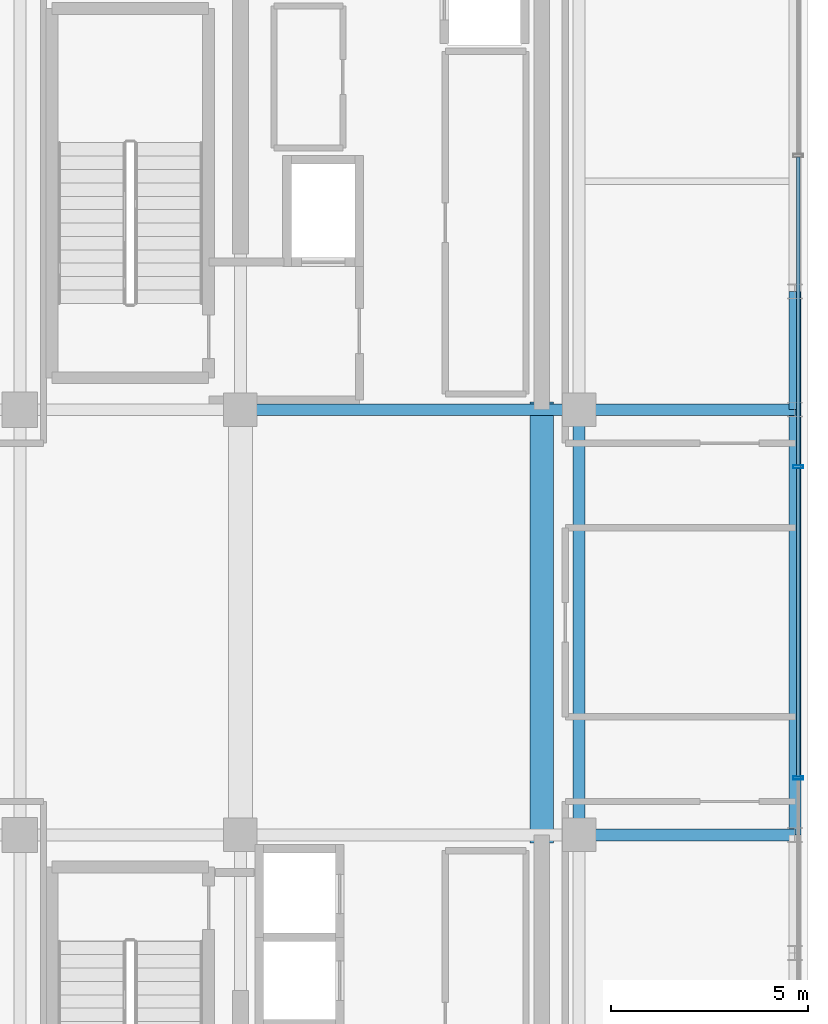
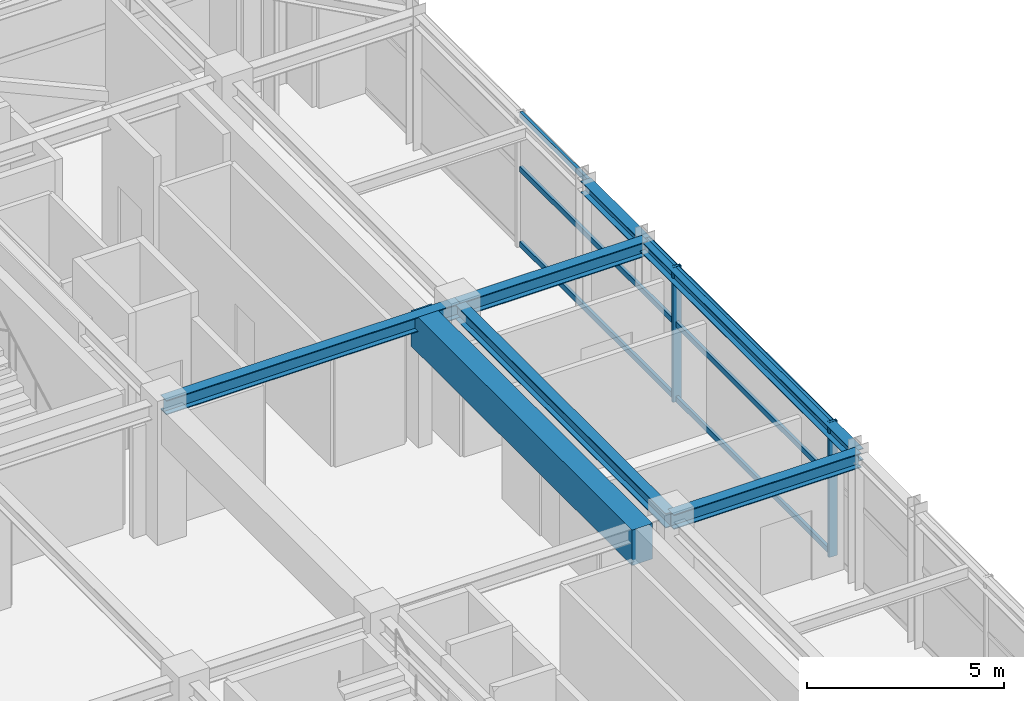
# One storey, part 11 of 26: 8 members, 7 beams, 1 element without a shape of its own.
"""IFC4 building model written with IfcOpenShell, lengths in metres."""

from ifc_helpers import new_model, si_unit, direction, frame, origin, origin_2d, place, context, subcontext, project, spatial, rectangle, hollow_rectangle, i_section, extrude, source, transform, mapped, material, material_profile, profile_set, type_object, element, aggregate, save


model = new_model("IFC4")

# Units and contexts
model_context = context("Model", 3, precision=1e-05, world=origin(), true_north=direction((0.0, 1.0)))
body_context = subcontext(model_context, "Body", "Model", "MODEL_VIEW")
ifc_project = project(units=[si_unit("LENGTHUNIT", "METRE"), si_unit("AREAUNIT", "SQUARE_METRE"), si_unit("VOLUMEUNIT", "CUBIC_METRE"), si_unit("PLANEANGLEUNIT", "RADIAN"), si_unit("MASSUNIT", "GRAM", prefix="KILO")], contexts=[model_context])

# Site, building, storey
site_placement = place(None, origin())
site = spatial("IfcSite", under=ifc_project, at=site_placement, CompositionType="ELEMENT")
building_placement = place(site_placement, origin())
building = spatial("IfcBuilding", under=site, at=building_placement, Name="Nahalor Promenade Grand Hotel", CompositionType="ELEMENT")
storey_placement = place(building_placement, frame((0.0, 0.0, 343.050048828125)))
storey = spatial("IfcBuildingStorey", under=building, at=storey_placement, Name="L88", CompositionType="ELEMENT", Elevation=343.050048828125)

# Beams
ifc_material_1 = material(Name="Concrete B-60 (C50/60)", Category="concrete")
ifc_material_profile_1 = material_profile(ifc_material_1, rectangle(XDim=0.6, YDim=1.1, at=origin_2d()), Name="RC 600x1100")
ifc_profile_set_1 = profile_set([ifc_material_profile_1], Name="Concrete B-60 (C50/60)")
beam_type_1 = type_object("IfcBeamType", Name="Beam-Lintel-RC1100", PredefinedType="LINTEL", material=ifc_profile_set_1)
shared_shape_1 = source(origin(), body_context, "Body", "SweptSolid", [
    extrude(rectangle(XDim=0.6, YDim=1.1, at=origin_2d()), origin(), (0.0, 0.0, 1.0), 11.2001953125),
])
beam_1_placement = place(storey_placement, frame((16.050048828125, -5.60009765625, 3.619873046875), z_axis=(0.0, 1.0, 0.0), x_axis=(-1.0, 0.0, 0.0)))
element("IfcBeam", 1, at=beam_1_placement, inside=storey, type_object=beam_type_1, Name="BM-L88-LINT-E", PredefinedType="LINTEL", context=body_context, shape_type="MappedRepresentation", body=[
    mapped(shared_shape_1, transform((0.0, 0.0, 0.0), scale=1.0)),
])
ifc_material_2 = material(Name="Steel S355JR", Category="steel")
ifc_material_profile_2 = material_profile(ifc_material_2, i_section(OverallWidth=0.3, OverallDepth=0.45, WebThickness=0.014, FlangeThickness=0.026, at=origin_2d()), Name="HEB 450")
ifc_profile_set_2 = profile_set([ifc_material_profile_2], Name="Steel S355JR")
beam_type_2 = type_object("IfcBeamType", Name="Beam-Girder-HEB450", PredefinedType="BEAM", material=ifc_profile_set_2)
shared_shape_2 = source(origin(), body_context, "Body", "SweptSolid", [
    extrude(i_section(OverallWidth=0.3, OverallDepth=0.45, WebThickness=0.014, FlangeThickness=0.026, at=origin_2d()), origin(), (0.0, 0.0, 1.0), 8.60009765625),
])
beam_2_placement = place(storey_placement, frame((8.39990234375, 5.39990234375, 3.945068359375), z_axis=(1.0, 0.0, 0.0), x_axis=(0.0, 1.0, 0.0)))
element("IfcBeam", 2, at=beam_2_placement, inside=storey, type_object=beam_type_2, Name="BM-L88-GX-2-5", PredefinedType="BEAM", context=body_context, shape_type="MappedRepresentation", body=[
    mapped(shared_shape_2, transform((0.0, 0.0, 0.0), scale=1.0)),
])
shared_shape_3 = source(origin(), body_context, "Body", "SweptSolid", [
    extrude(i_section(OverallWidth=0.3, OverallDepth=0.45, WebThickness=0.014, FlangeThickness=0.026, at=origin_2d()), origin(), (0.0, 0.0, 1.0), 10.7998046875),
])
beam_3_placement = place(storey_placement, frame((17.0, -5.39990234375, 3.945068359375), z_axis=(0.0, 1.0, 0.0), x_axis=(-1.0, 0.0, 0.0)))
element("IfcBeam", 3, at=beam_3_placement, inside=storey, type_object=beam_type_2, Name="BM-L88-GY-5-2", PredefinedType="BEAM", context=body_context, shape_type="MappedRepresentation", body=[
    mapped(shared_shape_3, transform((0.0, 0.0, 0.0), scale=1.0)),
])
shared_shape_4 = source(origin(), body_context, "Body", "SweptSolid", [
    extrude(i_section(OverallWidth=0.3, OverallDepth=0.45, WebThickness=0.014, FlangeThickness=0.026, at=origin_2d()), origin(), (0.0, 0.0, 1.0), 5.47998046875),
])
for number, where, z_axis, x_axis, name in (
    (4, (17.0, -5.39990234375, 3.945068359375), (1.0, 0.0, 0.0), (0.0, 1.0, 0.0), "BM-L88-GX-1-6"),
    (5, (17.0, 5.39990234375, 3.945068359375), (1.0, 0.0, 0.0), (0.0, 1.0, 0.0), "BM-L88-GX-2-6"),
):
    element("IfcBeam", number, at=place(storey_placement, frame(where, z_axis=z_axis, x_axis=x_axis)), inside=storey, type_object=beam_type_2, Name=name, PredefinedType="BEAM", context=body_context, shape_type="MappedRepresentation", body=[
        mapped(shared_shape_4, transform((0.0, 0.0, 0.0), scale=1.0)),
    ])
ifc_material_profile_3 = material_profile(ifc_material_2, i_section(OverallWidth=0.3, OverallDepth=0.36, WebThickness=0.0125, FlangeThickness=0.0225, at=origin_2d()), Name="HEB 360")
ifc_profile_set_3 = profile_set([ifc_material_profile_3], Name="Steel S355JR")
beam_type_3 = type_object("IfcBeamType", Name="Beam-Spandrel-HEB360", PredefinedType="SPANDREL", material=ifc_profile_set_3)
shared_shape_5 = source(origin(), body_context, "Body", "SweptSolid", [
    extrude(i_section(OverallWidth=0.3, OverallDepth=0.36, WebThickness=0.0125, FlangeThickness=0.0225, at=origin_2d()), origin(), (0.0, 0.0, 1.0), 3.0),
])
beam_4_placement = place(storey_placement, frame((22.47998046875, 5.39990234375, 3.989990234375), z_axis=(0.0, 1.0, 0.0), x_axis=(-1.0, 0.0, 0.0)))
element("IfcBeam", 6, at=beam_4_placement, inside=storey, type_object=beam_type_3, Name="BM-L88-SP-E-3", PredefinedType="SPANDREL", context=body_context, shape_type="MappedRepresentation", body=[
    mapped(shared_shape_5, transform((0.0, 0.0, 0.0), scale=1.0)),
])
shared_shape_6 = source(origin(), body_context, "Body", "SweptSolid", [
    extrude(i_section(OverallWidth=0.3, OverallDepth=0.36, WebThickness=0.0125, FlangeThickness=0.0225, at=origin_2d()), origin(), (0.0, 0.0, 1.0), 10.7998046875),
])
beam_5_placement = place(storey_placement, frame((22.47998046875, -5.39990234375, 3.989990234375), z_axis=(0.0, 1.0, 0.0), x_axis=(-1.0, 0.0, 0.0)))
element("IfcBeam", 7, at=beam_5_placement, inside=storey, type_object=beam_type_3, Name="BM-L88-SP-E-2", PredefinedType="SPANDREL", context=body_context, shape_type="MappedRepresentation", body=[
    mapped(shared_shape_6, transform((0.0, 0.0, 0.0), scale=1.0)),
])

# Curtain wall, members
ifc_material_3 = material(Name="Anodised Bronze Aluminium EN AW-6063 T6", Category="aluminium")
curtain_wall_type = type_object("IfcCurtainWallType", Name="CW5 Sky-Lobby & Observation Panoramic Curtain Wall", PredefinedType="USERDEFINED", material=ifc_material_3)
curtain_wall_placement = place(storey_placement, origin())
curtain_wall = element("IfcCurtainWall", 8, at=curtain_wall_placement, inside=storey, type_object=curtain_wall_type, Name="L88 Curtain Wall CW-L88-E-1", ObjectType="UNITISED_CURTAIN_WALL", PredefinedType="USERDEFINED")
ifc_material_profile_4 = material_profile(ifc_material_3, hollow_rectangle(XDim=0.085, YDim=0.25, WallThickness=0.006, at=origin_2d()), Name="CWM 85x250x6")
ifc_profile_set_4 = profile_set([ifc_material_profile_4], Name="Anodised Bronze Aluminium EN AW-6063 T6")
member_type_1 = type_object("IfcMemberType", Name="CWM5 Panoramic Deep Mullion 85x250", PredefinedType="MULLION", material=ifc_profile_set_4)
shared_shape_7 = source(origin(), body_context, "Body", "SweptSolid", [
    extrude(hollow_rectangle(XDim=0.085, YDim=0.25, WallThickness=0.006, at=origin_2d()), origin(), (0.0, 0.0, 1.0), 4.169921875),
])
member_1_placement = place(storey_placement, frame((22.56005859375, -3.951904296875, 0.0), z_axis=(0.0, 0.0, 1.0), x_axis=(0.0, 1.0, 0.0)))
member_1 = element("IfcMember", 9, at=member_1_placement, type_object=member_type_1, Name="CW-L88-E-1 Mullion 2", PredefinedType="MULLION", context=body_context, shape_type="MappedRepresentation", body=[
    mapped(shared_shape_7, transform((0.0, 0.0, 0.0), scale=1.0)),
])
member_2_placement = place(storey_placement, frame((22.56005859375, 3.951904296875, 0.0), z_axis=(0.0, 0.0, 1.0), x_axis=(0.0, 1.0, 0.0)))
member_2 = element("IfcMember", 10, at=member_2_placement, type_object=member_type_1, Name="CW-L88-E-1 Mullion 3", PredefinedType="MULLION", context=body_context, shape_type="MappedRepresentation", body=[
    mapped(shared_shape_7, transform((0.0, 0.0, 0.0), scale=1.0)),
])
ifc_material_profile_5 = material_profile(ifc_material_3, hollow_rectangle(XDim=0.085, YDim=0.17, WallThickness=0.005, at=origin_2d()), Name="CWT 85x170x5")
ifc_profile_set_5 = profile_set([ifc_material_profile_5], Name="Anodised Bronze Aluminium EN AW-6063 T6")
member_type_2 = type_object("IfcMemberType", Name="CWT5 Panoramic Transom 85x170", PredefinedType="USERDEFINED", material=ifc_profile_set_5)
shared_shape_8 = source(origin(), body_context, "Body", "SweptSolid", [
    extrude(hollow_rectangle(XDim=0.085, YDim=0.17, WallThickness=0.005, at=origin_2d()), origin(), (0.0, 0.0, 1.0), 7.819091796875),
])
member_3_placement = place(storey_placement, frame((22.56005859375, 3.994384765625, 0.0849609375), z_axis=(0.0, 1.0, 0.0), x_axis=(-1.0, 0.0, 0.0)))
member_3 = element("IfcMember", 11, at=member_3_placement, type_object=member_type_2, Name="CW-L88-E-1 Transom 3-0", ObjectType="TRANSOM", PredefinedType="USERDEFINED", context=body_context, shape_type="MappedRepresentation", body=[
    mapped(shared_shape_8, transform((0.0, 0.0, 0.0), scale=1.0)),
])
member_4_placement = place(storey_placement, frame((22.56005859375, 3.994384765625, 2.39990234375), z_axis=(0.0, 1.0, 0.0), x_axis=(-1.0, 0.0, 0.0)))
member_4 = element("IfcMember", 12, at=member_4_placement, type_object=member_type_2, Name="CW-L88-E-1 Transom 3-1", ObjectType="TRANSOM", PredefinedType="USERDEFINED", context=body_context, shape_type="MappedRepresentation", body=[
    mapped(shared_shape_8, transform((0.0, 0.0, 0.0), scale=1.0)),
])
member_5_placement = place(storey_placement, frame((22.56005859375, 3.994384765625, 4.0849609375), z_axis=(0.0, 1.0, 0.0), x_axis=(-1.0, 0.0, 0.0)))
member_5 = element("IfcMember", 13, at=member_5_placement, type_object=member_type_2, Name="CW-L88-E-1 Transom 3-2", ObjectType="TRANSOM", PredefinedType="USERDEFINED", context=body_context, shape_type="MappedRepresentation", body=[
    mapped(shared_shape_8, transform((0.0, 0.0, 0.0), scale=1.0)),
])
shared_shape_9 = source(origin(), body_context, "Body", "SweptSolid", [
    extrude(hollow_rectangle(XDim=0.085, YDim=0.17, WallThickness=0.005, at=origin_2d()), origin(), (0.0, 0.0, 1.0), 7.81884765625),
])
member_6_placement = place(storey_placement, frame((22.56005859375, -3.909423828125, 0.0849609375), z_axis=(0.0, 1.0, 0.0), x_axis=(-1.0, 0.0, 0.0)))
member_6 = element("IfcMember", 14, at=member_6_placement, type_object=member_type_2, Name="CW-L88-E-1 Transom 2-0", ObjectType="TRANSOM", PredefinedType="USERDEFINED", context=body_context, shape_type="MappedRepresentation", body=[
    mapped(shared_shape_9, transform((0.0, 0.0, 0.0), scale=1.0)),
])
member_7_placement = place(storey_placement, frame((22.56005859375, -3.909423828125, 2.39990234375), z_axis=(0.0, 1.0, 0.0), x_axis=(-1.0, 0.0, 0.0)))
member_7 = element("IfcMember", 15, at=member_7_placement, type_object=member_type_2, Name="CW-L88-E-1 Transom 2-1", ObjectType="TRANSOM", PredefinedType="USERDEFINED", context=body_context, shape_type="MappedRepresentation", body=[
    mapped(shared_shape_9, transform((0.0, 0.0, 0.0), scale=1.0)),
])
member_8_placement = place(storey_placement, frame((22.56005859375, -3.909423828125, 4.0849609375), z_axis=(0.0, 1.0, 0.0), x_axis=(-1.0, 0.0, 0.0)))
member_8 = element("IfcMember", 16, at=member_8_placement, type_object=member_type_2, Name="CW-L88-E-1 Transom 2-2", ObjectType="TRANSOM", PredefinedType="USERDEFINED", context=body_context, shape_type="MappedRepresentation", body=[
    mapped(shared_shape_9, transform((0.0, 0.0, 0.0), scale=1.0)),
])
aggregate(curtain_wall, [member_1, member_2, member_6, member_7, member_8, member_3, member_4, member_5])

save(model, "model.ifc")
